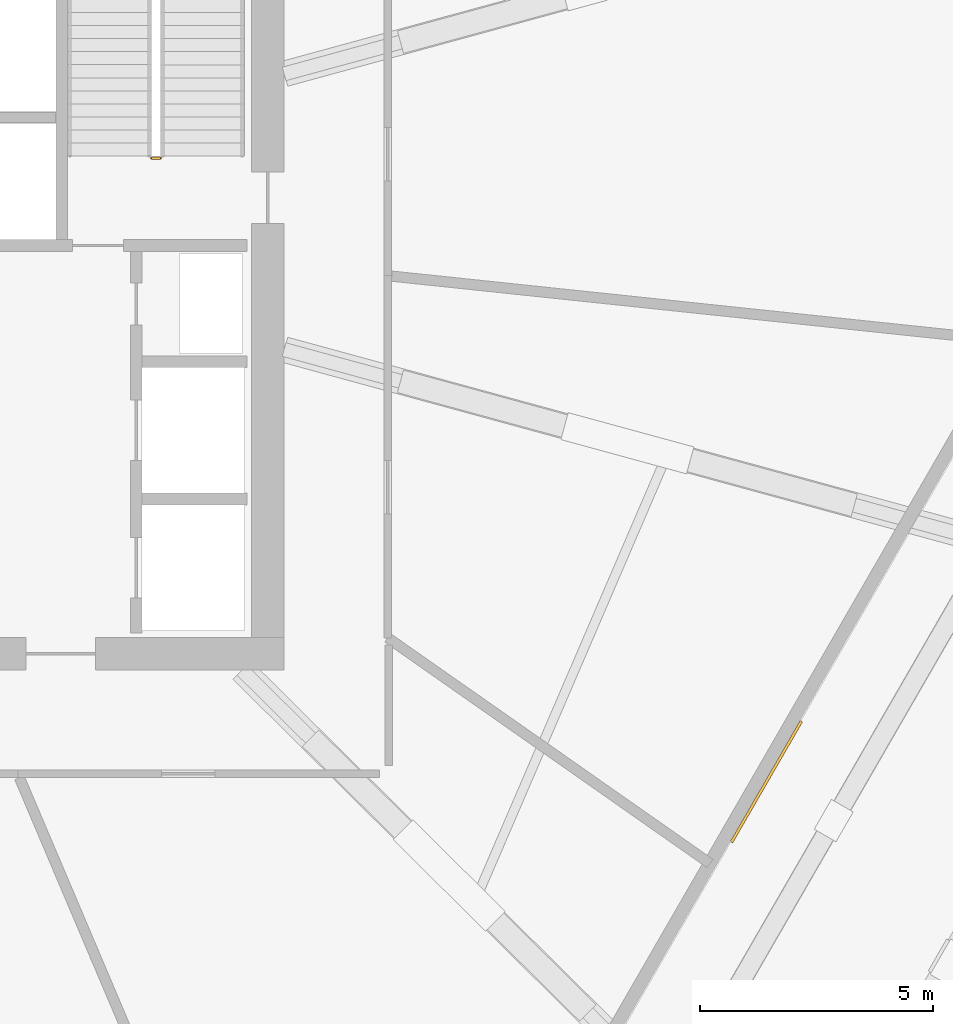
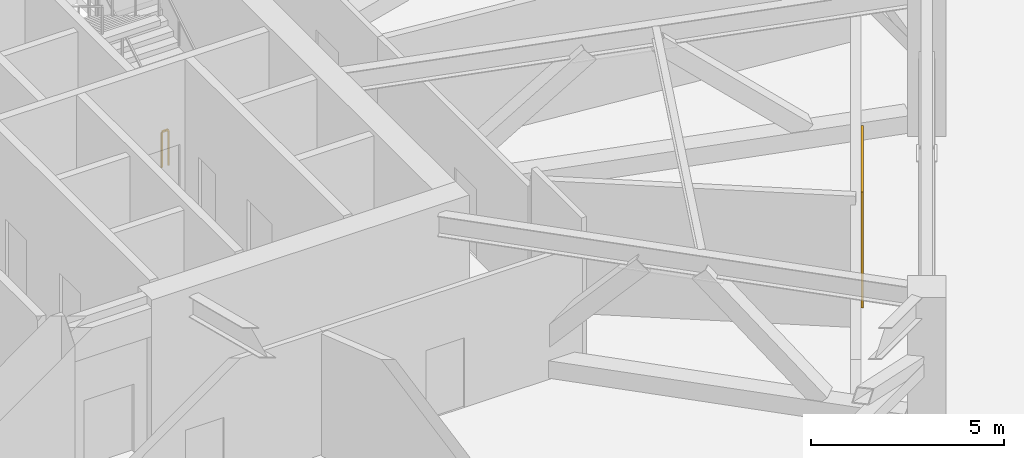
# One storey, part 18 of 20: 1 railing, 1 shading device.
"""IFC4 building model written with IfcOpenShell, lengths in metres."""

from ifc_helpers import new_model, si_unit, direction, frame, origin, origin_2d, place, context, subcontext, project, spatial, rectangle, extrude, material, layer, layer_set, type_object, element, save


model = new_model("IFC4")

# Units and contexts
model_context = context("Model", 3, precision=1e-05, world=origin(), true_north=direction((0.0, 1.0)))
body_context = subcontext(model_context, "Body", "Model", "MODEL_VIEW")
ifc_project = project(units=[si_unit("LENGTHUNIT", "METRE"), si_unit("AREAUNIT", "SQUARE_METRE"), si_unit("VOLUMEUNIT", "CUBIC_METRE"), si_unit("PLANEANGLEUNIT", "RADIAN"), si_unit("MASSUNIT", "GRAM", prefix="KILO")], contexts=[model_context])

# Site, building, storey
site_placement = place(None, origin())
site = spatial("IfcSite", under=ifc_project, at=site_placement, CompositionType="ELEMENT")
building_placement = place(site_placement, origin())
building = spatial("IfcBuilding", under=site, at=building_placement, Name="Zuhravey Tower", CompositionType="ELEMENT")
storey_placement = place(building_placement, frame((0.0, 0.0, 145.60009765625)))
storey = spatial("IfcBuildingStorey", under=building, at=storey_placement, Name="L36", CompositionType="ELEMENT", Elevation=145.60009765625)

# Shading device
ifc_material_1 = material(Name="Bronze-anodised perforated aluminium", Category="aluminium")
ifc_layer = layer(ifc_material_1, 0.06005859375)
ifc_layer_set = layer_set([ifc_layer], Name="Bronze-anodised perforated aluminium")
shading_device_type = type_object("IfcShadingDeviceType", Name="Girih Mashrabiya Solar Screen", PredefinedType="USERDEFINED", material=ifc_layer_set)
shading_device_placement = place(storey_placement, frame((57.22021484375, 19.74853515625, 0.099853515625), z_axis=(0.0, 0.0, 1.0), x_axis=(-0.5, -0.866025403784, 0.0)))
element("IfcShadingDevice", 1, at=shading_device_placement, inside=storey, type_object=shading_device_type, Name="L36 Face 6 Girih Solar Screen SCR1", ObjectType="SCREEN", PredefinedType="USERDEFINED", context=body_context, shape_type="SweptSolid", body=[
    extrude(rectangle(XDim=3.0, YDim=0.06005859375, at=origin_2d()), origin(), (0.0, 0.0, 1.0), 3.669921875),
])

# Railing
ifc_material_2 = material(Name="Painted tubular steel", Category="steel")
railing_type = type_object("IfcRailingType", Name="Stair Well Guardrail 1150", PredefinedType="GUARDRAIL", material=ifc_material_2)
railing_placement = place(storey_placement, frame((44.199951171875, 33.14990234375, 0.0)))
element("IfcRailing", 2, at=railing_placement, inside=storey, type_object=railing_type, Name="L36 ST2 stair guard 4", PredefinedType="GUARDRAIL", context=body_context, shape_type="SweptSolid", body=[
    extrude(rectangle(XDim=0.048095703125, YDim=0.048095703125, at=origin_2d()), frame((-0.001953125, 0.0, 1.1259765625), z_axis=(-1.0, 0.0, 0.0), x_axis=(0.0, -1.0, 0.0)), (0.0, 0.0, 1.0), 0.196044921875),
    extrude(rectangle(XDim=0.0419921875, YDim=0.0419921875, at=origin_2d()), origin(), (0.0, 0.0, 1.0), 1.099853515625),
    extrude(rectangle(XDim=0.0419921875, YDim=0.0419921875, at=origin_2d()), frame((-0.199951171875, 0.0, 0.0)), (0.0, 0.0, 1.0), 1.099853515625),
])

save(model, "model.ifc")
